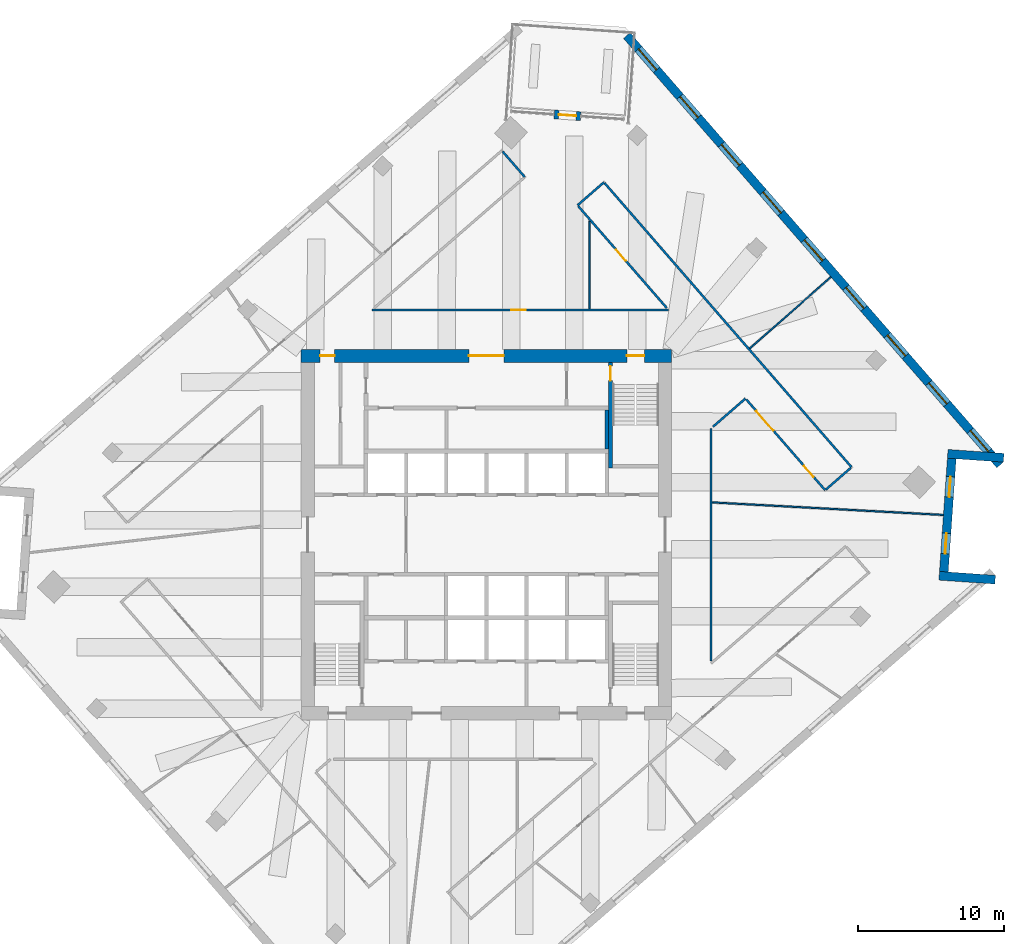
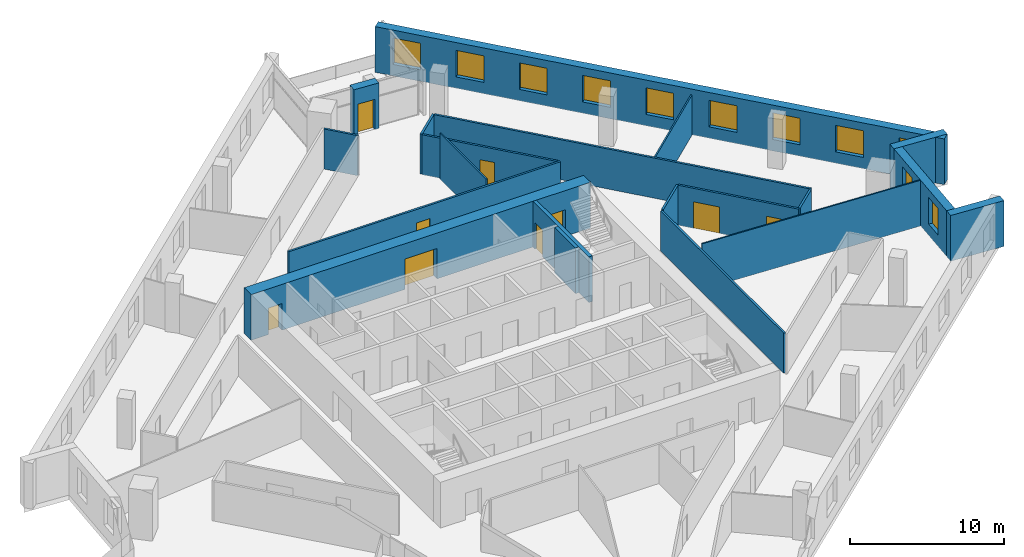
# One storey, part 8 of 11: 20 walls, 11 windows, 9 doors, 20 openings.
"""IFC4 building model written with IfcOpenShell, lengths in metres."""

import ifcopenshell
import ifcopenshell.guid

model = None  # the IFC model being written
_history = None  # IfcOwnerHistory: only IFC2X3 demands one
_inside = {}  # id of a spatial element -> (the spatial element, [elements in it])
_under = {}  # id of a project, library or spatial element -> (it, [spatial elements below it])
_declared = {}  # id of a project -> (the project, [libraries it declares])
_typed = {}  # id of a type object -> (the type object, [elements of that type])
_made_of = {}  # id of a material, layer set ... -> (it, [elements and type objects made of it])


def new_model(schema):
    """Start an empty IFC model of exactly this schema.

    Asked for "IFC4X3", IfcOpenShell would pick the latest addendum, in which some entities
    have other attributes; the version numbers below select the first issue.
    IFC2X3 requires an IfcOwnerHistory on every rooted entity: one is made here for all.
    """
    global model, _history
    if schema == "IFC4X3":
        model = ifcopenshell.file(schema_version=(4, 3, 0, 0))
    else:
        model = ifcopenshell.file(schema=schema)
    _inside.clear()
    _under.clear()
    _declared.clear()
    _typed.clear()
    _made_of.clear()
    _history = None
    if model.schema == "IFC2X3":
        org = make("IfcOrganization", Name="unknown")
        user = make(
            "IfcPersonAndOrganization",
            ThePerson=make("IfcPerson", FamilyName="unknown"),
            TheOrganization=org,
        )
        app = make(
            "IfcApplication",
            ApplicationDeveloper=org,
            Version="unknown",
            ApplicationFullName="unknown",
            ApplicationIdentifier="unknown",
        )
        _history = make(
            "IfcOwnerHistory",
            OwningUser=user,
            OwningApplication=app,
            ChangeAction="ADDED",
            CreationDate=0,
        )
    return model


def make(cls, **values):
    """One entity of the class cls with the attributes given. An attribute that is None is left unset."""
    return model.create_entity(
        cls, **{name: value for name, value in values.items() if value is not None}
    )


def rooted(cls, **values):
    """An entity with a GlobalId (a new one), such as an element, a storey or a relation."""
    return make(cls, GlobalId=ifcopenshell.guid.new(), OwnerHistory=_history, **values)


def si_unit(unit_type, name, prefix=None):
    """IfcSIUnit, for example si_unit("LENGTHUNIT", "METRE", prefix="MILLI")."""
    return make("IfcSIUnit", UnitType=unit_type, Prefix=prefix, Name=name)


def assignment(units):
    """IfcUnitAssignment: the units of a project."""
    return None if units is None else make("IfcUnitAssignment", Units=units)


def point(xyz):
    """IfcCartesianPoint."""
    return None if xyz is None else make("IfcCartesianPoint", Coordinates=xyz)


def direction(xyz):
    """IfcDirection."""
    return None if xyz is None else make("IfcDirection", DirectionRatios=xyz)


def frame(location, z_axis=None, x_axis=None):
    """IfcAxis2Placement3D, a coordinate frame: its origin and axes. An axis left out is left unset."""
    return make(
        "IfcAxis2Placement3D",
        Location=point(location),
        Axis=direction(z_axis),
        RefDirection=direction(x_axis),
    )


def frame_2d(location, x_axis=None):
    """IfcAxis2Placement2D, a coordinate frame in the plane: its origin and x axis."""
    return make(
        "IfcAxis2Placement2D", Location=point(location), RefDirection=direction(x_axis)
    )


def origin():
    """The frame at (0, 0, 0) with its axes left unset."""
    return frame((0.0, 0.0, 0.0))


def place(relative_to, where):
    """IfcLocalPlacement: puts the frame where relative to a parent placement (None: the world)."""
    return make(
        "IfcLocalPlacement", PlacementRelTo=relative_to, RelativePlacement=where
    )


def context(
    kind, dimensions, precision=None, world=None, true_north=None, identifier=None
):
    """IfcGeometricRepresentationContext, for example the 3D "Model" context."""
    return make(
        "IfcGeometricRepresentationContext",
        ContextIdentifier=identifier,
        ContextType=kind,
        CoordinateSpaceDimension=dimensions,
        Precision=precision,
        WorldCoordinateSystem=world,
        TrueNorth=true_north,
    )


def subcontext(parent, identifier, kind, view, scale=None):
    """IfcGeometricRepresentationSubContext, for example "Body" below "Model"."""
    return make(
        "IfcGeometricRepresentationSubContext",
        ContextIdentifier=identifier,
        ContextType=kind,
        ParentContext=parent,
        TargetScale=scale,
        TargetView=view,
    )


def project(units=None, contexts=None):
    """IfcProject with its units and contexts."""
    return rooted(
        "IfcProject",
        Name="project",
        RepresentationContexts=contexts,
        UnitsInContext=assignment(units),
    )


def spatial(cls, under=None, at=None, **own):
    """A site, building, storey or space (cls), placed at a placement, below another one or the project."""
    s = rooted(cls, ObjectPlacement=at, **own)
    if under is not None:
        _under.setdefault(under.id(), (under, []))[1].append(s)
    return s


def profile(cls, at=None, kind="AREA", **sizes):
    """A parametric profile (cls). Its sizes go by their IFC names, for example OverallWidth=200.0."""
    return make(cls, ProfileType=kind, Position=at, **sizes)


def rectangle(**sizes):
    """IfcRectangleProfileDef."""
    return profile("IfcRectangleProfileDef", **sizes)


def extrude(swept, where, along, depth):
    """IfcExtrudedAreaSolid: the profile swept, set in the frame where, extruded along a direction by depth."""
    return make(
        "IfcExtrudedAreaSolid",
        SweptArea=swept,
        Position=where,
        ExtrudedDirection=direction(along),
        Depth=depth,
    )


def shape(context_of_items, identifier, shape_type, items):
    """IfcShapeRepresentation: the items that make up one representation, for example the "Body"."""
    return make(
        "IfcShapeRepresentation",
        ContextOfItems=context_of_items,
        RepresentationIdentifier=identifier,
        RepresentationType=shape_type,
        Items=items,
    )


def material(Name=None, Category=None):
    """IfcMaterial."""
    return make("IfcMaterial", Name=Name, Category=Category)


def layer(
    of_material, thickness, ventilated=None, Name=None, Category=None, Priority=None
):
    """IfcMaterialLayer: one layer of a wall or slab, of a material (None: an air gap)."""
    return make(
        "IfcMaterialLayer",
        Material=of_material,
        LayerThickness=thickness,
        IsVentilated=ventilated,
        Name=Name,
        Category=Category,
        Priority=Priority,
    )


def layer_set(layers, Name=None):
    """IfcMaterialLayerSet."""
    return make("IfcMaterialLayerSet", MaterialLayers=layers, LayerSetName=Name)


def made_of(thing, what):
    """Note that an element or type object is made of a material, layer set ...; save() writes the relation."""
    if what is not None:
        _made_of.setdefault(what.id(), (what, []))[1].append(thing)
    return thing


def type_object(cls, material=None, **own):
    """A type object (cls), such as IfcWallType, which elements share."""
    return made_of(rooted(cls, **own), material)


def element(
    cls,
    number,
    at=None,
    inside=None,
    cuts=None,
    type_object=None,
    material=None,
    context=None,
    identifier="Body",
    shape_type=None,
    held_by="IfcProductDefinitionShape",
    body=None,
    shapes=None,
    **own,
):
    """One element of the class cls, such as IfcWall. Its Tag is "e" and its number.

    at: its placement. inside: the storey or other place that contains it. cuts: it is an
    opening in that element (IfcRelVoidsElement). A single representation is given by context,
    identifier, shape_type and body (its items); several are given by shapes. held_by: the class
    of the entity that holds the representations. save() writes the other relations.
    """
    e = rooted(cls, Tag="e%d" % number, ObjectPlacement=at, **own)
    if body is not None:
        shapes = [shape(context, identifier, shape_type, body)]
    if shapes is not None:
        e.Representation = make(held_by, Representations=shapes)
    if inside is not None:
        _inside.setdefault(inside.id(), (inside, []))[1].append(e)
    if cuts is not None:
        rooted(
            "IfcRelVoidsElement", RelatingBuildingElement=cuts, RelatedOpeningElement=e
        )
    if type_object is not None:
        _typed.setdefault(type_object.id(), (type_object, []))[1].append(e)
    return made_of(e, material)


def fill(opening, filler):
    """IfcRelFillsElement: the door or window that sits in an opening."""
    return rooted(
        "IfcRelFillsElement",
        RelatingOpeningElement=opening,
        RelatedBuildingElement=filler,
    )


def aggregate(whole, parts):
    """IfcRelAggregates: a whole, such as a stair, and the parts it consists of."""
    return rooted("IfcRelAggregates", RelatingObject=whole, RelatedObjects=parts)


def save(model, path):
    """Write the relations noted so far, then the file.

    IfcRelAggregates (storeys below a building ...), IfcRelContainedInSpatialStructure (elements
    in a storey), IfcRelDefinesByType, IfcRelAssociatesMaterial and IfcRelDeclares: one each for
    every whole, place, type object, material and project.
    """
    for whole, parts in _under.values():
        aggregate(whole, parts)
    for where, things in _inside.values():
        rooted(
            "IfcRelContainedInSpatialStructure",
            RelatedElements=things,
            RelatingStructure=where,
        )
    for kind, things in _typed.values():
        rooted("IfcRelDefinesByType", RelatedObjects=things, RelatingType=kind)
    for what, things in _made_of.values():
        rooted("IfcRelAssociatesMaterial", RelatedObjects=things, RelatingMaterial=what)
    for by, libraries in _declared.values():
        rooted("IfcRelDeclares", RelatingContext=by, RelatedDefinitions=libraries)
    model.write(path)


model = new_model("IFC4")

# Units and contexts
model_context = context("Model", 3, precision=1e-05, world=origin(), true_north=direction((0.0, 1.0)))
body_context = subcontext(model_context, "Body", "Model", "MODEL_VIEW")
ifc_project = project(units=[si_unit("LENGTHUNIT", "METRE"), si_unit("AREAUNIT", "SQUARE_METRE"), si_unit("VOLUMEUNIT", "CUBIC_METRE"), si_unit("PLANEANGLEUNIT", "RADIAN"), si_unit("MASSUNIT", "GRAM", prefix="KILO")], contexts=[model_context])

# Site, building, storey
site_placement = place(None, origin())
site = spatial("IfcSite", under=ifc_project, at=site_placement, CompositionType="ELEMENT")
building_placement = place(site_placement, origin())
building = spatial("IfcBuilding", under=site, at=building_placement, Name="Dilmun Exchange Tower", CompositionType="ELEMENT")
storey_placement = place(building_placement, frame((0.0, 0.0, 189.300048828125)))
storey = spatial("IfcBuildingStorey", under=building, at=storey_placement, Name="L44", CompositionType="ELEMENT", Elevation=189.300048828125)

# Wall
ifc_material_1 = material(Name="Concrete C40/50", Category="concrete")
ifc_layer_1 = layer(ifc_material_1, 0.25)
ifc_layer_set_1 = layer_set([ifc_layer_1], Name="Concrete C40/50")
wall_type_1 = type_object("IfcWallType", Name="Core partition wall 250", PredefinedType="PARTITIONING", material=ifc_layer_set_1)
wall_1_placement = place(storey_placement, frame((8.25, 5.85498046875, 0.0), z_axis=(0.0, 0.0, 1.0), x_axis=(0.0, 1.0, 0.0)))
element("IfcWall", 1, at=wall_1_placement, inside=storey, type_object=wall_type_1, Name="L44 core partition wall 17", PredefinedType="PARTITIONING", context=body_context, shape_type="SweptSolid", body=[
    extrude(rectangle(XDim=2.68994140625, YDim=0.25, at=frame_2d((1.344970703125, 0.0))), origin(), (0.0, 0.0, 1.0), 3.619873046875),
])

# Wall, openings, doors
ifc_material_2 = material(Name="Concrete C60/75", Category="concrete")
ifc_layer_2 = layer(ifc_material_2, 0.89990234375)
ifc_layer_set_2 = layer_set([ifc_layer_2], Name="Concrete C60/75")
wall_type_2 = type_object("IfcWallType", Name="Core shear wall 900 Concrete C60/75", PredefinedType="SHEAR", material=ifc_layer_set_2)
wall_2_placement = place(storey_placement, frame((-12.699951171875, 12.25, 0.0), z_axis=(0.0, 0.0, 1.0), x_axis=(1.0, 0.0, 0.0)))
wall_2 = element("IfcWall", 2, at=wall_2_placement, inside=storey, type_object=wall_type_2, Name="L44 core shear wall N", PredefinedType="SHEAR", context=body_context, shape_type="SweptSolid", body=[
    extrude(rectangle(XDim=25.39990234375, YDim=0.89990234375, at=frame_2d((12.699951171875, 0.0))), origin(), (0.0, 0.0, 1.0), 3.619873046875),
])
opening_1_placement = place(wall_2_placement, frame((11.5, 0.0, 0.0)))
opening_1 = element("IfcOpeningElement", 3, at=opening_1_placement, cuts=wall_2, Name="Opening CD1", PredefinedType="OPENING", context=body_context, shape_type="SweptSolid", body=[
    extrude(rectangle(XDim=2.39990234375, YDim=2.39990234375, at=frame_2d((1.199951171875, 1.199951171875))), frame((0.0, 0.4599609375, 0.0), z_axis=(0.0, -1.0, 0.0), x_axis=(1.0, 0.0, 0.0)), (0.0, 0.0, 1.0), 0.919921875),
])
opening_2_placement = place(wall_2_placement, frame((22.324951171875, 0.0, 0.0)))
opening_2 = element("IfcOpeningElement", 4, at=opening_2_placement, cuts=wall_2, Name="Opening CD3", PredefinedType="OPENING", context=body_context, shape_type="SweptSolid", body=[
    extrude(rectangle(XDim=1.199951171875, YDim=2.10009765625, at=frame_2d((0.60009765625, 1.050048828125))), frame((0.0, 0.4599609375, 0.0), z_axis=(0.0, -1.0, 0.0), x_axis=(1.0, 0.0, 0.0)), (0.0, 0.0, 1.0), 0.919921875),
])
opening_3_placement = place(wall_2_placement, frame((1.300048828125, 0.0, 0.0)))
opening_3 = element("IfcOpeningElement", 5, at=opening_3_placement, cuts=wall_2, Name="Opening CD4", PredefinedType="OPENING", context=body_context, shape_type="SweptSolid", body=[
    extrude(rectangle(XDim=1.0, YDim=2.10009765625, at=frame_2d((0.5, 1.050048828125))), frame((0.0, 0.4599609375, 0.0), z_axis=(0.0, -1.0, 0.0), x_axis=(1.0, 0.0, 0.0)), (0.0, 0.0, 1.0), 0.919921875),
])
ifc_material_3 = material(Name="Fire-rated steel door set", Category="steel")
door_type_1 = type_object("IfcDoorType", Name="Core lobby door 2400x2400", OperationType="DOUBLE_DOOR_DOUBLE_SWING", PredefinedType="DOOR", material=ifc_material_3)
door_1_placement = place(opening_1_placement, origin())
door_1 = element("IfcDoor", 6, at=door_1_placement, inside=storey, type_object=door_type_1, Name="L44 door North lift lobby", OperationType="SINGLE_SWING_LEFT", OverallHeight=2.39990234375, OverallWidth=2.39990234375, PredefinedType="DOOR", context=body_context, shape_type="SweptSolid", body=[
    extrude(rectangle(XDim=2.39990234375, YDim=2.39990234375, at=frame_2d((1.199951171875, 1.199951171875))), frame((0.0, 0.02490234375, 0.0), z_axis=(0.0, -1.0, 0.0), x_axis=(1.0, 0.0, 0.0)), (0.0, 0.0, 1.0), 0.050048828125),
])
fill(opening_1, door_1)
door_type_2 = type_object("IfcDoorType", Name="Core room door 1000x2100", OperationType="SINGLE_SWING_LEFT", PredefinedType="DOOR", material=ifc_material_3)
door_2_placement = place(opening_3_placement, origin())
door_2 = element("IfcDoor", 7, at=door_2_placement, inside=storey, type_object=door_type_2, Name="L44 door North-west core rooms", OperationType="SINGLE_SWING_LEFT", OverallHeight=2.10009765625, OverallWidth=1.0, PredefinedType="DOOR", context=body_context, shape_type="SweptSolid", body=[
    extrude(rectangle(XDim=1.0, YDim=2.10009765625, at=frame_2d((0.5, 1.050048828125))), frame((0.0, 0.02490234375, 0.0), z_axis=(0.0, -1.0, 0.0), x_axis=(1.0, 0.0, 0.0)), (0.0, 0.0, 1.0), 0.050048828125),
])
fill(opening_3, door_2)
door_type_3 = type_object("IfcDoorType", Name="Stair exit door 1200x2100", OperationType="SINGLE_SWING_LEFT", PredefinedType="DOOR", material=ifc_material_3)
door_3_placement = place(opening_2_placement, origin())
door_3 = element("IfcDoor", 8, at=door_3_placement, inside=storey, type_object=door_type_3, Name="L44 door Stair ST1", OperationType="SINGLE_SWING_LEFT", OverallHeight=2.10009765625, OverallWidth=1.199951171875, PredefinedType="DOOR", context=body_context, shape_type="SweptSolid", body=[
    extrude(rectangle(XDim=1.199951171875, YDim=2.10009765625, at=frame_2d((0.60009765625, 1.050048828125))), frame((0.0, 0.02490234375, 0.0), z_axis=(0.0, -1.0, 0.0), x_axis=(1.0, 0.0, 0.0)), (0.0, 0.0, 1.0), 0.050048828125),
])
fill(opening_2, door_3)

# Wall, opening, door
ifc_material_4 = material(Name="Corridor wall 150")
ifc_layer_3 = layer(ifc_material_4, 0.14990234375)
ifc_layer_set_3 = layer_set([ifc_layer_3], Name="Corridor wall 150")
wall_type_3 = type_object("IfcWallType", Name="Corridor wall 150", PredefinedType="PARTITIONING", material=ifc_layer_set_3)
wall_3_placement = place(storey_placement, frame((-7.843017578125, 15.39990234375, 0.0), z_axis=(0.0, 0.0, 1.0), x_axis=(1.0, 0.0, 0.0)))
wall_3 = element("IfcWall", 9, at=wall_3_placement, inside=storey, type_object=wall_type_3, Name="Corridor wall", PredefinedType="PARTITIONING", context=body_context, shape_type="SweptSolid", body=[
    extrude(rectangle(XDim=20.318115234375, YDim=0.14990234375, at=frame_2d((10.1591796875, 0.0))), origin(), (0.0, 0.0, 1.0), 3.169921875),
])
opening_4_placement = place(wall_3_placement, frame((9.550048828125, 0.0, 0.0)))
opening_4 = element("IfcOpeningElement", 10, at=opening_4_placement, cuts=wall_3, Name="Opening TF44-D11", PredefinedType="OPENING", context=body_context, shape_type="SweptSolid", body=[
    extrude(rectangle(XDim=1.0, YDim=2.10009765625, at=frame_2d((0.5, 1.050048828125))), frame((0.0, 0.0849609375, 0.0), z_axis=(0.0, -1.0, 0.0), x_axis=(1.0, 0.0, 0.0)), (0.0, 0.0, 1.0), 0.169921875),
])
ifc_material_5 = material(Name="Fire door 1000 x 2100")
door_type_4 = type_object("IfcDoorType", Name="Fire door 1000 x 2100", OperationType="NOTDEFINED", PredefinedType="DOOR", material=ifc_material_5)
door_4_placement = place(opening_4_placement, origin())
door_4 = element("IfcDoor", 11, at=door_4_placement, inside=storey, type_object=door_type_4, Name="Door TF44-D11", OperationType="SINGLE_SWING_LEFT", OverallHeight=2.10009765625, OverallWidth=1.0, PredefinedType="DOOR", context=body_context, shape_type="SweptSolid", body=[
    extrude(rectangle(XDim=1.0, YDim=2.10009765625, at=frame_2d((0.5, 1.050048828125))), frame((0.0, 0.02490234375, 0.0), z_axis=(0.0, -1.0, 0.0), x_axis=(1.0, 0.0, 0.0)), (0.0, 0.0, 1.0), 0.050048828125),
])
fill(opening_4, door_4)

# Walls
wall_4_placement = place(storey_placement, frame((1.106201171875, 26.260498046875, 0.0), z_axis=(0.0, 0.0, 1.0), x_axis=(0.655757529051, -0.754971564426, 0.0)))
element("IfcWall", 12, at=wall_4_placement, inside=storey, type_object=wall_type_3, Name="Corridor wall", PredefinedType="PARTITIONING", context=body_context, shape_type="SweptSolid", body=[
    extrude(rectangle(XDim=2.325439453125, YDim=0.14990234375, at=frame_2d((1.16259765625, 0.0))), origin(), (0.0, 0.0, 1.0), 3.169921875),
])
wall_5_placement = place(storey_placement, frame((6.242919921875, 22.569091796875, 0.0), z_axis=(0.0, 0.0, 1.0), x_axis=(0.75457705231, 0.656211453822, 0.0)))
element("IfcWall", 13, at=wall_5_placement, inside=storey, type_object=wall_type_3, Name="Corridor wall", PredefinedType="PARTITIONING", context=body_context, shape_type="SweptSolid", body=[
    extrude(rectangle(XDim=2.400146484375, YDim=0.14990234375, at=frame_2d((1.2001953125, 0.0))), origin(), (0.0, 0.0, 1.0), 3.169921875),
])

# Wall, opening, door
wall_6_placement = place(storey_placement, frame((6.292236328125, 22.512451171875, 0.0), z_axis=(0.0, 0.0, 1.0), x_axis=(0.656052066859, -0.754715632255, 0.0)))
wall_6 = element("IfcWall", 14, at=wall_6_placement, inside=storey, type_object=wall_type_3, Name="Corridor wall", PredefinedType="PARTITIONING", context=body_context, shape_type="SweptSolid", body=[
    extrude(rectangle(XDim=9.259521484375, YDim=0.14990234375, at=frame_2d((4.6298828125, 0.0))), origin(), (0.0, 0.0, 1.0), 3.169921875),
])
opening_5_placement = place(wall_6_placement, frame((3.962646484375, 0.0, 0.0)))
opening_5 = element("IfcOpeningElement", 15, at=opening_5_placement, cuts=wall_6, Name="Opening TF44-D12", PredefinedType="OPENING", context=body_context, shape_type="SweptSolid", body=[
    extrude(rectangle(XDim=1.0, YDim=2.10009765625, at=frame_2d((0.5, 1.050048828125))), frame((0.0, 0.0849609375, 0.0), z_axis=(0.0, -1.0, 0.0), x_axis=(1.0, 0.0, 0.0)), (0.0, 0.0, 1.0), 0.169921875),
])
door_5_placement = place(opening_5_placement, frame((1.0, 0.0, 0.0), z_axis=(0.0, 0.0, 1.0), x_axis=(-1.0, 0.0, 0.0)))
door_5 = element("IfcDoor", 16, at=door_5_placement, inside=storey, type_object=door_type_4, Name="Door TF44-D12", OperationType="SINGLE_SWING_RIGHT", OverallHeight=2.10009765625, OverallWidth=1.0, PredefinedType="DOOR", context=body_context, shape_type="SweptSolid", body=[
    extrude(rectangle(XDim=1.0, YDim=2.10009765625, at=frame_2d((0.5, 1.050048828125))), frame((0.0, 0.02490234375, 0.0), z_axis=(0.0, -1.0, 0.0), x_axis=(1.0, 0.0, 0.0)), (0.0, 0.0, 1.0), 0.050048828125),
])
fill(opening_5, door_5)

# Walls
wall_7_placement = place(storey_placement, frame((8.103271484375, 24.08740234375, 0.0), z_axis=(0.0, 0.0, 1.0), x_axis=(0.656048444225, -0.754718781289, 0.0)))
element("IfcWall", 17, at=wall_7_placement, inside=storey, type_object=wall_type_3, Name="Corridor wall", PredefinedType="PARTITIONING", context=body_context, shape_type="SweptSolid", body=[
    extrude(rectangle(XDim=25.799560546875, YDim=0.14990234375, at=frame_2d((12.89990234375, 0.0))), origin(), (0.0, 0.0, 1.0), 3.169921875),
])
wall_8_placement = place(storey_placement, frame((15.39990234375, -8.66650390625, 0.0), z_axis=(0.0, 0.0, 1.0), x_axis=(0.0, 1.0, 0.0)))
element("IfcWall", 18, at=wall_8_placement, inside=storey, type_object=wall_type_3, Name="Corridor wall", PredefinedType="PARTITIONING", context=body_context, shape_type="SweptSolid", body=[
    extrude(rectangle(XDim=15.943603515625, YDim=0.14990234375, at=frame_2d((7.9716796875, 0.0))), origin(), (0.0, 0.0, 1.0), 3.169921875),
])
wall_9_placement = place(storey_placement, frame((15.524169921875, 7.385009765625, 0.0), z_axis=(0.0, 0.0, 1.0), x_axis=(0.754751247574, 0.656011093111, 0.0)))
element("IfcWall", 19, at=wall_9_placement, inside=storey, type_object=wall_type_3, Name="Corridor wall", PredefinedType="PARTITIONING", context=body_context, shape_type="SweptSolid", body=[
    extrude(rectangle(XDim=2.957275390625, YDim=0.14990234375, at=frame_2d((1.478515625, 0.0))), origin(), (0.0, 0.0, 1.0), 3.169921875),
])

# Wall, openings, doors
wall_10_placement = place(storey_placement, frame((17.80517578125, 9.268310546875, 0.0), z_axis=(0.0, 0.0, 1.0), x_axis=(0.656027059873, -0.754737369364, 0.0)))
wall_10 = element("IfcWall", 20, at=wall_10_placement, inside=storey, type_object=wall_type_3, Name="Corridor wall", PredefinedType="PARTITIONING", context=body_context, shape_type="SweptSolid", body=[
    extrude(rectangle(XDim=8.2509765625, YDim=0.14990234375, at=frame_2d((4.12548828125, 0.0))), origin(), (0.0, 0.0, 1.0), 3.169921875),
])
opening_6_placement = place(wall_10_placement, frame((1.050048828125, 0.0, 0.0)))
opening_6 = element("IfcOpeningElement", 21, at=opening_6_placement, cuts=wall_10, Name="Opening TF44-D17", PredefinedType="OPENING", context=body_context, shape_type="SweptSolid", body=[
    extrude(rectangle(XDim=1.800048828125, YDim=2.10009765625, at=frame_2d((0.89990234375, 1.050048828125))), frame((0.0, 0.0849609375, 0.0), z_axis=(0.0, -1.0, 0.0), x_axis=(1.0, 0.0, 0.0)), (0.0, 0.0, 1.0), 0.169921875),
])
opening_7_placement = place(wall_10_placement, frame((6.050048828125, 0.0, 0.0)))
opening_7 = element("IfcOpeningElement", 22, at=opening_7_placement, cuts=wall_10, Name="Opening TF44-D18", PredefinedType="OPENING", context=body_context, shape_type="SweptSolid", body=[
    extrude(rectangle(XDim=1.0, YDim=2.10009765625, at=frame_2d((0.5, 1.050048828125))), frame((0.0, 0.0849609375, 0.0), z_axis=(0.0, -1.0, 0.0), x_axis=(1.0, 0.0, 0.0)), (0.0, 0.0, 1.0), 0.169921875),
])
door_6_placement = place(opening_7_placement, frame((1.0, 0.0, 0.0), z_axis=(0.0, 0.0, 1.0), x_axis=(-1.0, 0.0, 0.0)))
door_6 = element("IfcDoor", 23, at=door_6_placement, inside=storey, type_object=door_type_4, Name="Door TF44-D18", OperationType="SINGLE_SWING_RIGHT", OverallHeight=2.10009765625, OverallWidth=1.0, PredefinedType="DOOR", context=body_context, shape_type="SweptSolid", body=[
    extrude(rectangle(XDim=1.0, YDim=2.10009765625, at=frame_2d((0.5, 1.050048828125))), frame((0.0, 0.02490234375, 0.0), z_axis=(0.0, -1.0, 0.0), x_axis=(1.0, 0.0, 0.0)), (0.0, 0.0, 1.0), 0.050048828125),
])
fill(opening_7, door_6)
ifc_material_6 = material(Name="Fire door pair 1800 x 2100")
door_type_5 = type_object("IfcDoorType", Name="Fire door pair 1800 x 2100", OperationType="NOTDEFINED", PredefinedType="DOOR", material=ifc_material_6)
door_7_placement = place(opening_6_placement, frame((1.800048828125, 0.0, 0.0), z_axis=(0.0, 0.0, 1.0), x_axis=(-1.0, 0.0, 0.0)))
door_7 = element("IfcDoor", 24, at=door_7_placement, inside=storey, type_object=door_type_5, Name="Door TF44-D17", OperationType="DOUBLE_DOOR_SINGLE_SWING", OverallHeight=2.10009765625, OverallWidth=1.800048828125, PredefinedType="DOOR", context=body_context, shape_type="SweptSolid", body=[
    extrude(rectangle(XDim=1.800048828125, YDim=2.10009765625, at=frame_2d((0.89990234375, 1.050048828125))), frame((0.0, 0.02490234375, 0.0), z_axis=(0.0, -1.0, 0.0), x_axis=(1.0, 0.0, 0.0)), (0.0, 0.0, 1.0), 0.050048828125),
])
fill(opening_6, door_7)

# Walls
wall_11_placement = place(storey_placement, frame((23.274658203125, 3.090087890625, 0.0), z_axis=(0.0, 0.0, 1.0), x_axis=(0.754495728819, 0.656304955942, 0.0)))
element("IfcWall", 25, at=wall_11_placement, inside=storey, type_object=wall_type_3, Name="Corridor wall", PredefinedType="PARTITIONING", context=body_context, shape_type="SweptSolid", body=[
    extrude(rectangle(XDim=2.250244140625, YDim=0.14990234375, at=frame_2d((1.125, 0.0))), origin(), (0.0, 0.0, 1.0), 3.169921875),
])
ifc_material_7 = material(Name="Partition 100")
ifc_layer_4 = layer(ifc_material_7, 0.10009765625)
ifc_layer_set_4 = layer_set([ifc_layer_4], Name="Partition 100")
wall_type_4 = type_object("IfcWallType", Name="Partition 100", PredefinedType="PARTITIONING", material=ifc_layer_set_4)
wall_12_placement = place(storey_placement, frame((7.054931640625, 15.47509765625, 0.0), z_axis=(0.0, 0.0, 1.0), x_axis=(0.0, 1.0, 0.0)))
element("IfcWall", 26, at=wall_12_placement, inside=storey, type_object=wall_type_4, Name="Partition", PredefinedType="PARTITIONING", context=body_context, shape_type="SweptSolid", body=[
    extrude(rectangle(XDim=5.988037109375, YDim=0.10009765625, at=frame_2d((2.994140625, 0.0))), origin(), (0.0, 0.0, 1.0), 3.619873046875),
])
wall_13_placement = place(storey_placement, frame((15.477783203125, 2.202880859375, 0.0), z_axis=(0.0, 0.0, 1.0), x_axis=(0.998532575908, -0.054154361321, 0.0)))
element("IfcWall", 27, at=wall_13_placement, inside=storey, type_object=wall_type_4, Name="Partition", PredefinedType="PARTITIONING", context=body_context, shape_type="SweptSolid", body=[
    extrude(rectangle(XDim=15.868896484375, YDim=0.10009765625, at=frame_2d((7.9345703125, 0.0))), origin(), (0.0, 0.0, 1.0), 3.619873046875),
])
wall_14_placement = place(storey_placement, frame((18.049560546875, 12.759765625, 0.0), z_axis=(0.0, 0.0, 1.0), x_axis=(0.751001885152, 0.660300059441, 0.0)))
element("IfcWall", 28, at=wall_14_placement, inside=storey, type_object=wall_type_4, Name="Partition", PredefinedType="PARTITIONING", context=body_context, shape_type="SweptSolid", body=[
    extrude(rectangle(XDim=7.40478515625, YDim=0.10009765625, at=frame_2d((3.702392578125, 0.0))), origin(), (0.0, 0.0, 1.0), 3.169921875),
])
ifc_material_8 = material(Name="Precast concrete C50/60", Category="concrete")
ifc_layer_5 = layer(ifc_material_8, 0.60009765625)
ifc_layer_set_5 = layer_set([ifc_layer_5], Name="Precast concrete C50/60")
wall_type_5 = type_object("IfcWallType", Name="Precast stone-clad wall 600", PredefinedType="STANDARD", material=ifc_layer_set_5)
wall_15_placement = place(storey_placement, frame((34.870849609375, -3.093505859375, 0.0), z_axis=(0.0, 0.0, 1.0), x_axis=(-0.997563916762, 0.069758382828, 0.0)))
element("IfcWall", 29, at=wall_15_placement, inside=storey, type_object=wall_type_5, Name="Facade wall L44-12", PredefinedType="STANDARD", context=body_context, shape_type="SweptSolid", body=[
    extrude(rectangle(XDim=3.84619140625, YDim=0.60009765625, at=frame_2d((1.923095703125, 0.0))), origin(), (0.0, 0.0, 1.0), 3.619873046875),
])

# Wall, openings, windows
wall_16_placement = place(storey_placement, frame((31.35400390625, -2.546875, 0.0), z_axis=(0.0, 0.0, 1.0), x_axis=(0.069743544409, 0.997564954283, 0.0)))
wall_16 = element("IfcWall", 30, at=wall_16_placement, inside=storey, type_object=wall_type_5, Name="Facade wall L44-13", PredefinedType="STANDARD", context=body_context, shape_type="SweptSolid", body=[
    extrude(rectangle(XDim=7.7783203125, YDim=0.60009765625, at=frame_2d((3.88916015625, 0.0))), origin(), (0.0, 0.0, 1.0), 3.619873046875),
])
opening_8_placement = place(wall_16_placement, frame((1.244384765625, 0.0, 0.89990234375)))
opening_8 = element("IfcOpeningElement", 31, at=opening_8_placement, cuts=wall_16, Name="Opening W140-210", PredefinedType="OPENING", context=body_context, shape_type="SweptSolid", body=[
    extrude(rectangle(XDim=1.39990234375, YDim=2.10009765625, at=frame_2d((0.699951171875, 1.050048828125))), frame((0.0, 0.31005859375, 0.0), z_axis=(0.0, -1.0, 0.0), x_axis=(1.0, 0.0, 0.0)), (0.0, 0.0, 1.0), 0.6201171875),
])
opening_9_placement = place(wall_16_placement, frame((5.133544921875, 0.0, 0.89990234375)))
opening_9 = element("IfcOpeningElement", 32, at=opening_9_placement, cuts=wall_16, Name="Opening W140-210", PredefinedType="OPENING", context=body_context, shape_type="SweptSolid", body=[
    extrude(rectangle(XDim=1.39990234375, YDim=2.10009765625, at=frame_2d((0.699951171875, 1.050048828125))), frame((0.0, 0.31005859375, 0.0), z_axis=(0.0, -1.0, 0.0), x_axis=(1.0, 0.0, 0.0)), (0.0, 0.0, 1.0), 0.6201171875),
])
ifc_material_9 = material(Name="Clear low-emissivity glass in aluminium frame", Category="aluminium")
window_type_1 = type_object("IfcWindowType", Name="Punched window 1400 x 2100", PartitioningType="DOUBLE_PANEL_VERTICAL", PredefinedType="WINDOW", material=ifc_material_9)
window_1_placement = place(opening_8_placement, origin())
window_1 = element("IfcWindow", 33, at=window_1_placement, inside=storey, type_object=window_type_1, Name="Window 14.1", OverallHeight=2.10009765625, OverallWidth=1.39990234375, PartitioningType="SINGLE_PANEL", PredefinedType="WINDOW", context=body_context, shape_type="SweptSolid", body=[
    extrude(rectangle(XDim=1.39990234375, YDim=2.10009765625, at=frame_2d((0.699951171875, 1.050048828125))), frame((0.0, 0.030029296875, 0.0), z_axis=(0.0, -1.0, 0.0), x_axis=(1.0, 0.0, 0.0)), (0.0, 0.0, 1.0), 0.06005859375),
])
fill(opening_8, window_1)
window_2_placement = place(opening_9_placement, origin())
window_2 = element("IfcWindow", 34, at=window_2_placement, inside=storey, type_object=window_type_1, Name="Window 14.2", OverallHeight=2.10009765625, OverallWidth=1.39990234375, PartitioningType="SINGLE_PANEL", PredefinedType="WINDOW", context=body_context, shape_type="SweptSolid", body=[
    extrude(rectangle(XDim=1.39990234375, YDim=2.10009765625, at=frame_2d((0.699951171875, 1.050048828125))), frame((0.0, 0.030029296875, 0.0), z_axis=(0.0, -1.0, 0.0), x_axis=(1.0, 0.0, 0.0)), (0.0, 0.0, 1.0), 0.06005859375),
])
fill(opening_9, window_2)

# Wall
wall_17_placement = place(storey_placement, frame((31.618408203125, 5.532470703125, 0.0), z_axis=(0.0, 0.0, 1.0), x_axis=(0.997563916762, -0.069758382828, 0.0)))
element("IfcWall", 35, at=wall_17_placement, inside=storey, type_object=wall_type_5, Name="Facade wall L44-14", PredefinedType="STANDARD", context=body_context, shape_type="SweptSolid", body=[
    extrude(rectangle(XDim=3.84619140625, YDim=0.60009765625, at=frame_2d((1.923095703125, 0.0))), origin(), (0.0, 0.0, 1.0), 3.619873046875),
])

# Wall, openings, windows
wall_18_placement = place(storey_placement, frame((35.2080078125, 4.76806640625, 0.0), z_axis=(0.0, 0.0, 1.0), x_axis=(-0.656058749455, 0.754709823219, 0.0)))
wall_18 = element("IfcWall", 36, at=wall_18_placement, inside=storey, type_object=wall_type_5, Name="Facade wall L44-15", PredefinedType="STANDARD", context=body_context, shape_type="SweptSolid", body=[
    extrude(rectangle(XDim=39.000244140625, YDim=0.60009765625, at=frame_2d((19.5, 0.0))), origin(), (0.0, 0.0, 1.0), 3.619873046875),
])
opening_10_placement = place(wall_18_placement, frame((1.216796875, 0.0, 0.89990234375)))
opening_10 = element("IfcOpeningElement", 37, at=opening_10_placement, cuts=wall_18, Name="Opening W190-210", PredefinedType="OPENING", context=body_context, shape_type="SweptSolid", body=[
    extrude(rectangle(XDim=1.89990234375, YDim=2.10009765625, at=frame_2d((0.949951171875, 1.050048828125))), frame((0.0, 0.31005859375, 0.0), z_axis=(0.0, -1.0, 0.0), x_axis=(1.0, 0.0, 0.0)), (0.0, 0.0, 1.0), 0.6201171875),
])
opening_11_placement = place(wall_18_placement, frame((5.550048828125, 0.0, 0.89990234375)))
opening_11 = element("IfcOpeningElement", 38, at=opening_11_placement, cuts=wall_18, Name="Opening W190-210", PredefinedType="OPENING", context=body_context, shape_type="SweptSolid", body=[
    extrude(rectangle(XDim=1.89990234375, YDim=2.10009765625, at=frame_2d((0.949951171875, 1.050048828125))), frame((0.0, 0.31005859375, 0.0), z_axis=(0.0, -1.0, 0.0), x_axis=(1.0, 0.0, 0.0)), (0.0, 0.0, 1.0), 0.6201171875),
])
opening_12_placement = place(wall_18_placement, frame((9.88330078125, 0.0, 0.89990234375)))
opening_12 = element("IfcOpeningElement", 39, at=opening_12_placement, cuts=wall_18, Name="Opening W190-210", PredefinedType="OPENING", context=body_context, shape_type="SweptSolid", body=[
    extrude(rectangle(XDim=1.89990234375, YDim=2.10009765625, at=frame_2d((0.949951171875, 1.050048828125))), frame((0.0, 0.31005859375, 0.0), z_axis=(0.0, -1.0, 0.0), x_axis=(1.0, 0.0, 0.0)), (0.0, 0.0, 1.0), 0.6201171875),
])
opening_13_placement = place(wall_18_placement, frame((14.216796875, 0.0, 0.89990234375)))
opening_13 = element("IfcOpeningElement", 40, at=opening_13_placement, cuts=wall_18, Name="Opening W190-210", PredefinedType="OPENING", context=body_context, shape_type="SweptSolid", body=[
    extrude(rectangle(XDim=1.89990234375, YDim=2.10009765625, at=frame_2d((0.949951171875, 1.050048828125))), frame((0.0, 0.31005859375, 0.0), z_axis=(0.0, -1.0, 0.0), x_axis=(1.0, 0.0, 0.0)), (0.0, 0.0, 1.0), 0.6201171875),
])
opening_14_placement = place(wall_18_placement, frame((18.550048828125, 0.0, 0.89990234375)))
opening_14 = element("IfcOpeningElement", 41, at=opening_14_placement, cuts=wall_18, Name="Opening W190-210", PredefinedType="OPENING", context=body_context, shape_type="SweptSolid", body=[
    extrude(rectangle(XDim=1.89990234375, YDim=2.10009765625, at=frame_2d((0.949951171875, 1.050048828125))), frame((0.0, 0.31005859375, 0.0), z_axis=(0.0, -1.0, 0.0), x_axis=(1.0, 0.0, 0.0)), (0.0, 0.0, 1.0), 0.6201171875),
])
opening_15_placement = place(wall_18_placement, frame((22.88330078125, 0.0, 0.89990234375)))
opening_15 = element("IfcOpeningElement", 42, at=opening_15_placement, cuts=wall_18, Name="Opening W190-210", PredefinedType="OPENING", context=body_context, shape_type="SweptSolid", body=[
    extrude(rectangle(XDim=1.89990234375, YDim=2.10009765625, at=frame_2d((0.949951171875, 1.050048828125))), frame((0.0, 0.31005859375, 0.0), z_axis=(0.0, -1.0, 0.0), x_axis=(1.0, 0.0, 0.0)), (0.0, 0.0, 1.0), 0.6201171875),
])
opening_16_placement = place(wall_18_placement, frame((27.216796875, 0.0, 0.89990234375)))
opening_16 = element("IfcOpeningElement", 43, at=opening_16_placement, cuts=wall_18, Name="Opening W190-210", PredefinedType="OPENING", context=body_context, shape_type="SweptSolid", body=[
    extrude(rectangle(XDim=1.89990234375, YDim=2.10009765625, at=frame_2d((0.949951171875, 1.050048828125))), frame((0.0, 0.31005859375, 0.0), z_axis=(0.0, -1.0, 0.0), x_axis=(1.0, 0.0, 0.0)), (0.0, 0.0, 1.0), 0.6201171875),
])
opening_17_placement = place(wall_18_placement, frame((31.550048828125, 0.0, 0.89990234375)))
opening_17 = element("IfcOpeningElement", 44, at=opening_17_placement, cuts=wall_18, Name="Opening W190-210", PredefinedType="OPENING", context=body_context, shape_type="SweptSolid", body=[
    extrude(rectangle(XDim=1.89990234375, YDim=2.10009765625, at=frame_2d((0.949951171875, 1.050048828125))), frame((0.0, 0.31005859375, 0.0), z_axis=(0.0, -1.0, 0.0), x_axis=(1.0, 0.0, 0.0)), (0.0, 0.0, 1.0), 0.6201171875),
])
opening_18_placement = place(wall_18_placement, frame((35.88330078125, 0.0, 0.89990234375)))
opening_18 = element("IfcOpeningElement", 45, at=opening_18_placement, cuts=wall_18, Name="Opening W190-210", PredefinedType="OPENING", context=body_context, shape_type="SweptSolid", body=[
    extrude(rectangle(XDim=1.89990234375, YDim=2.10009765625, at=frame_2d((0.949951171875, 1.050048828125))), frame((0.0, 0.31005859375, 0.0), z_axis=(0.0, -1.0, 0.0), x_axis=(1.0, 0.0, 0.0)), (0.0, 0.0, 1.0), 0.6201171875),
])
window_type_2 = type_object("IfcWindowType", Name="Punched window 1900 x 2100", PartitioningType="DOUBLE_PANEL_VERTICAL", PredefinedType="WINDOW", material=ifc_material_9)
window_3_placement = place(opening_10_placement, origin())
window_3 = element("IfcWindow", 46, at=window_3_placement, inside=storey, type_object=window_type_2, Name="Window 16.1", OverallHeight=2.10009765625, OverallWidth=1.89990234375, PartitioningType="SINGLE_PANEL", PredefinedType="WINDOW", context=body_context, shape_type="SweptSolid", body=[
    extrude(rectangle(XDim=1.89990234375, YDim=2.10009765625, at=frame_2d((0.949951171875, 1.050048828125))), frame((0.0, 0.030029296875, 0.0), z_axis=(0.0, -1.0, 0.0), x_axis=(1.0, 0.0, 0.0)), (0.0, 0.0, 1.0), 0.06005859375),
])
fill(opening_10, window_3)
window_4_placement = place(opening_11_placement, origin())
window_4 = element("IfcWindow", 47, at=window_4_placement, inside=storey, type_object=window_type_2, Name="Window 16.2", OverallHeight=2.10009765625, OverallWidth=1.89990234375, PartitioningType="SINGLE_PANEL", PredefinedType="WINDOW", context=body_context, shape_type="SweptSolid", body=[
    extrude(rectangle(XDim=1.89990234375, YDim=2.10009765625, at=frame_2d((0.949951171875, 1.050048828125))), frame((0.0, 0.030029296875, 0.0), z_axis=(0.0, -1.0, 0.0), x_axis=(1.0, 0.0, 0.0)), (0.0, 0.0, 1.0), 0.06005859375),
])
fill(opening_11, window_4)
window_5_placement = place(opening_12_placement, origin())
window_5 = element("IfcWindow", 48, at=window_5_placement, inside=storey, type_object=window_type_2, Name="Window 16.3", OverallHeight=2.10009765625, OverallWidth=1.89990234375, PartitioningType="SINGLE_PANEL", PredefinedType="WINDOW", context=body_context, shape_type="SweptSolid", body=[
    extrude(rectangle(XDim=1.89990234375, YDim=2.10009765625, at=frame_2d((0.949951171875, 1.050048828125))), frame((0.0, 0.030029296875, 0.0), z_axis=(0.0, -1.0, 0.0), x_axis=(1.0, 0.0, 0.0)), (0.0, 0.0, 1.0), 0.06005859375),
])
fill(opening_12, window_5)
window_6_placement = place(opening_13_placement, origin())
window_6 = element("IfcWindow", 49, at=window_6_placement, inside=storey, type_object=window_type_2, Name="Window 16.4", OverallHeight=2.10009765625, OverallWidth=1.89990234375, PartitioningType="SINGLE_PANEL", PredefinedType="WINDOW", context=body_context, shape_type="SweptSolid", body=[
    extrude(rectangle(XDim=1.89990234375, YDim=2.10009765625, at=frame_2d((0.949951171875, 1.050048828125))), frame((0.0, 0.030029296875, 0.0), z_axis=(0.0, -1.0, 0.0), x_axis=(1.0, 0.0, 0.0)), (0.0, 0.0, 1.0), 0.06005859375),
])
fill(opening_13, window_6)
window_7_placement = place(opening_14_placement, origin())
window_7 = element("IfcWindow", 50, at=window_7_placement, inside=storey, type_object=window_type_2, Name="Window 16.5", OverallHeight=2.10009765625, OverallWidth=1.89990234375, PartitioningType="SINGLE_PANEL", PredefinedType="WINDOW", context=body_context, shape_type="SweptSolid", body=[
    extrude(rectangle(XDim=1.89990234375, YDim=2.10009765625, at=frame_2d((0.949951171875, 1.050048828125))), frame((0.0, 0.030029296875, 0.0), z_axis=(0.0, -1.0, 0.0), x_axis=(1.0, 0.0, 0.0)), (0.0, 0.0, 1.0), 0.06005859375),
])
fill(opening_14, window_7)
window_8_placement = place(opening_15_placement, origin())
window_8 = element("IfcWindow", 51, at=window_8_placement, inside=storey, type_object=window_type_2, Name="Window 16.6", OverallHeight=2.10009765625, OverallWidth=1.89990234375, PartitioningType="SINGLE_PANEL", PredefinedType="WINDOW", context=body_context, shape_type="SweptSolid", body=[
    extrude(rectangle(XDim=1.89990234375, YDim=2.10009765625, at=frame_2d((0.949951171875, 1.050048828125))), frame((0.0, 0.030029296875, 0.0), z_axis=(0.0, -1.0, 0.0), x_axis=(1.0, 0.0, 0.0)), (0.0, 0.0, 1.0), 0.06005859375),
])
fill(opening_15, window_8)
window_9_placement = place(opening_16_placement, origin())
window_9 = element("IfcWindow", 52, at=window_9_placement, inside=storey, type_object=window_type_2, Name="Window 16.7", OverallHeight=2.10009765625, OverallWidth=1.89990234375, PartitioningType="SINGLE_PANEL", PredefinedType="WINDOW", context=body_context, shape_type="SweptSolid", body=[
    extrude(rectangle(XDim=1.89990234375, YDim=2.10009765625, at=frame_2d((0.949951171875, 1.050048828125))), frame((0.0, 0.030029296875, 0.0), z_axis=(0.0, -1.0, 0.0), x_axis=(1.0, 0.0, 0.0)), (0.0, 0.0, 1.0), 0.06005859375),
])
fill(opening_16, window_9)
window_10_placement = place(opening_17_placement, origin())
window_10 = element("IfcWindow", 53, at=window_10_placement, inside=storey, type_object=window_type_2, Name="Window 16.8", OverallHeight=2.10009765625, OverallWidth=1.89990234375, PartitioningType="SINGLE_PANEL", PredefinedType="WINDOW", context=body_context, shape_type="SweptSolid", body=[
    extrude(rectangle(XDim=1.89990234375, YDim=2.10009765625, at=frame_2d((0.949951171875, 1.050048828125))), frame((0.0, 0.030029296875, 0.0), z_axis=(0.0, -1.0, 0.0), x_axis=(1.0, 0.0, 0.0)), (0.0, 0.0, 1.0), 0.06005859375),
])
fill(opening_17, window_10)
window_11_placement = place(opening_18_placement, origin())
window_11 = element("IfcWindow", 54, at=window_11_placement, inside=storey, type_object=window_type_2, Name="Window 16.9", OverallHeight=2.10009765625, OverallWidth=1.89990234375, PartitioningType="SINGLE_PANEL", PredefinedType="WINDOW", context=body_context, shape_type="SweptSolid", body=[
    extrude(rectangle(XDim=1.89990234375, YDim=2.10009765625, at=frame_2d((0.949951171875, 1.050048828125))), frame((0.0, 0.030029296875, 0.0), z_axis=(0.0, -1.0, 0.0), x_axis=(1.0, 0.0, 0.0)), (0.0, 0.0, 1.0), 0.06005859375),
])
fill(opening_18, window_11)

# Wall, opening, door
wall_19_placement = place(storey_placement, frame((6.451416015625, 28.67529296875, 0.0), z_axis=(0.0, 0.0, 1.0), x_axis=(-0.997566331932, 0.069723836635, 0.0)))
wall_19 = element("IfcWall", 55, at=wall_19_placement, inside=storey, type_object=wall_type_5, Name="Facade wall L44-01-D", PredefinedType="STANDARD", context=body_context, shape_type="SweptSolid", body=[
    extrude(rectangle(XDim=1.7998046875, YDim=0.60009765625, at=frame_2d((0.89990234375, 0.0))), origin(), (0.0, 0.0, 1.0), 3.619873046875),
])
opening_19_placement = place(wall_19_placement, frame((0.300048828125, 0.0, 0.0)))
opening_19 = element("IfcOpeningElement", 56, at=opening_19_placement, cuts=wall_19, Name="Opening GD-1", PredefinedType="OPENING", context=body_context, shape_type="SweptSolid", body=[
    extrude(rectangle(XDim=1.199951171875, YDim=2.39990234375, at=frame_2d((0.60009765625, 1.199951171875))), frame((0.0, 0.31005859375, 0.0), z_axis=(0.0, -1.0, 0.0), x_axis=(1.0, 0.0, 0.0)), (0.0, 0.0, 1.0), 0.6201171875),
])
door_type_6 = type_object("IfcDoorType", Name="Glazed garden door 1200 x 2400", OperationType="SINGLE_SWING_LEFT", PredefinedType="DOOR", material=ifc_material_9)
door_8_placement = place(opening_19_placement, origin())
door_8 = element("IfcDoor", 57, at=door_8_placement, inside=storey, type_object=door_type_6, Name="Garden terrace door", OperationType="SINGLE_SWING_LEFT", OverallHeight=2.39990234375, OverallWidth=1.199951171875, PredefinedType="DOOR", context=body_context, shape_type="SweptSolid", body=[
    extrude(rectangle(XDim=1.199951171875, YDim=2.39990234375, at=frame_2d((0.60009765625, 1.199951171875))), frame((0.0, 0.02490234375, 0.0), z_axis=(0.0, -1.0, 0.0), x_axis=(1.0, 0.0, 0.0)), (0.0, 0.0, 1.0), 0.050048828125),
])
fill(opening_19, door_8)

ifc_layer_6 = layer(ifc_material_1, 0.27490234375)
ifc_layer_set_6 = layer_set([ifc_layer_6], Name="Concrete C40/50")
wall_type_6 = type_object("IfcWallType", Name="Stair wall 275", PredefinedType="SOLIDWALL", material=ifc_layer_set_6)
wall_20_placement = place(storey_placement, frame((8.512451171875, 4.550048828125, 0.0), z_axis=(0.0, 0.0, 1.0), x_axis=(0.0, 1.0, 0.0)))
wall_20 = element("IfcWall", 58, at=wall_20_placement, inside=storey, type_object=wall_type_6, Name="L44 ST1 wall to lift block", PredefinedType="SOLIDWALL", context=body_context, shape_type="SweptSolid", body=[
    extrude(rectangle(XDim=7.25, YDim=0.27490234375, at=frame_2d((3.625, 0.0))), origin(), (0.0, 0.0, 1.0), 3.619873046875),
])
opening_20_placement = place(wall_20_placement, frame((6.0, 0.0, 0.0)))
opening_20 = element("IfcOpeningElement", 59, at=opening_20_placement, cuts=wall_20, Name="Opening CD4", PredefinedType="OPENING", context=body_context, shape_type="SweptSolid", body=[
    extrude(rectangle(XDim=1.0, YDim=2.10009765625, at=frame_2d((0.5, 1.050048828125))), frame((0.0, 0.1474609375, 0.0), z_axis=(0.0, -1.0, 0.0), x_axis=(1.0, 0.0, 0.0)), (0.0, 0.0, 1.0), 0.294921875),
])
door_9_placement = place(opening_20_placement, origin())
door_9 = element("IfcDoor", 60, at=door_9_placement, inside=storey, type_object=door_type_2, Name="L44 door ST1 from lobby", OperationType="SINGLE_SWING_LEFT", OverallHeight=2.10009765625, OverallWidth=1.0, PredefinedType="DOOR", context=body_context, shape_type="SweptSolid", body=[
    extrude(rectangle(XDim=1.0, YDim=2.10009765625, at=frame_2d((0.5, 1.050048828125))), frame((0.0, 0.02490234375, 0.0), z_axis=(0.0, -1.0, 0.0), x_axis=(1.0, 0.0, 0.0)), (0.0, 0.0, 1.0), 0.050048828125),
])
fill(opening_20, door_9)

save(model, "model.ifc")
